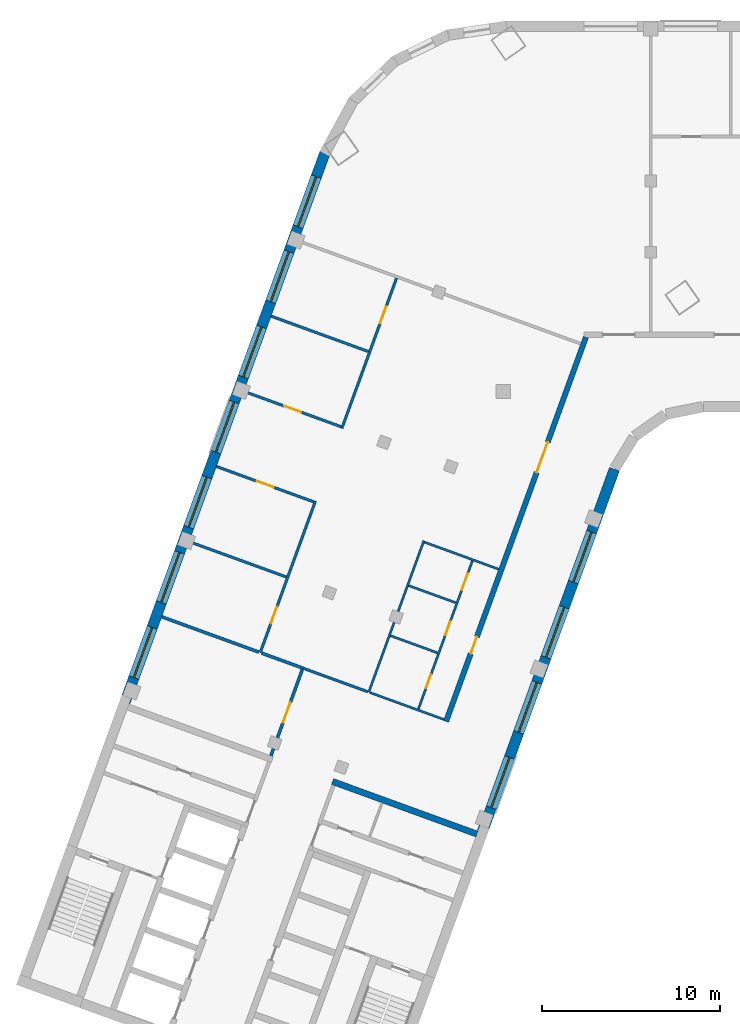
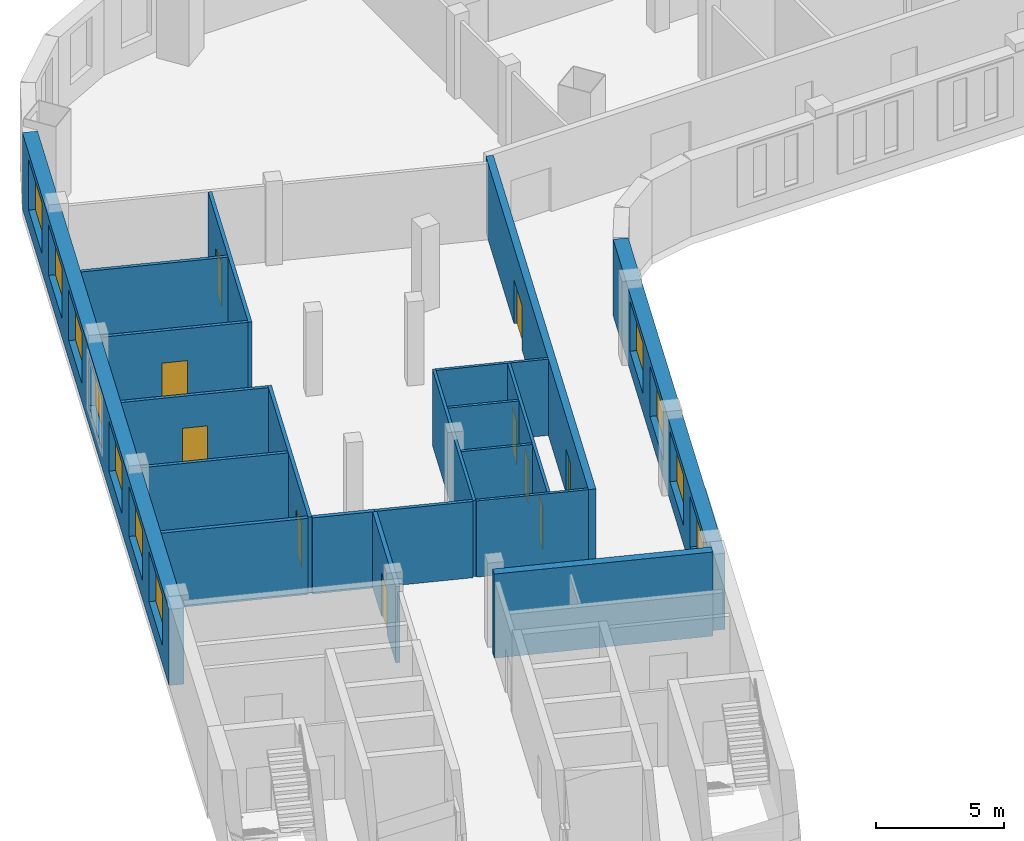
# One storey, part 3 of 8: 20 walls, 11 windows, 10 doors, 21 openings.
"""IFC4 building model written with IfcOpenShell, lengths in metres."""

from ifc_helpers import new_model, si_unit, direction, frame, frame_2d, origin, place, context, subcontext, project, spatial, rectangle, extrude, material, layer, layer_set, type_object, element, fill, save


model = new_model("IFC4")

# Units and contexts
model_context = context("Model", 3, precision=1e-05, world=origin(), true_north=direction((0.0, 1.0)))
body_context = subcontext(model_context, "Body", "Model", "MODEL_VIEW")
ifc_project = project(units=[si_unit("LENGTHUNIT", "METRE"), si_unit("AREAUNIT", "SQUARE_METRE"), si_unit("VOLUMEUNIT", "CUBIC_METRE"), si_unit("PLANEANGLEUNIT", "RADIAN"), si_unit("MASSUNIT", "GRAM", prefix="KILO")], contexts=[model_context])

# Site, building, storey
site_placement = place(None, origin())
site = spatial("IfcSite", under=ifc_project, at=site_placement, CompositionType="ELEMENT")
building_placement = place(site_placement, origin())
building = spatial("IfcBuilding", under=site, at=building_placement, Name="Skarvind Civic Tower", CompositionType="ELEMENT")
storey_placement = place(building_placement, frame((0.0, 0.0, 138.5)))
storey = spatial("IfcBuildingStorey", under=building, at=storey_placement, Name="L32", CompositionType="ELEMENT", Elevation=138.5)

# Walls
ifc_material_1 = material(Name="Acoustic gypsum board on steel studs", Category="steel")
ifc_layer_1 = layer(ifc_material_1, 0.175048828125)
ifc_layer_set_1 = layer_set([ifc_layer_1], Name="ACOUSTIC MEETING-ROOM PARTITION 175")
wall_type_1 = type_object("IfcWallType", Name="ACOUSTIC MEETING-ROOM PARTITION 175", PredefinedType="PARTITIONING", material=ifc_layer_set_1)
wall_1_placement = place(storey_placement, frame((26.736083984375, 105.47998046875, 0.0), z_axis=(0.0, 0.0, 1.0), x_axis=(0.939674453825, -0.342070052516, 0.0)))
element("IfcWall", 1, at=wall_1_placement, inside=storey, type_object=wall_type_1, Name="Partition 32.001", PredefinedType="PARTITIONING", context=body_context, shape_type="SweptSolid", body=[
    extrude(rectangle(XDim=5.814697265625, YDim=0.175048828125, at=frame_2d((2.9072265625, 0.0))), origin(), (0.0, 0.0, 1.0), 3.625),
])
wall_2_placement = place(storey_placement, frame((32.35888671875, 103.43310546875, 0.0), z_axis=(0.0, 0.0, 1.0), x_axis=(0.939784753685, -0.341766904105, 0.0)))
element("IfcWall", 2, at=wall_2_placement, inside=storey, type_object=wall_type_1, Name="Partition 32.004", PredefinedType="PARTITIONING", context=body_context, shape_type="SweptSolid", body=[
    extrude(rectangle(XDim=2.466552734375, YDim=0.175048828125, at=frame_2d((1.2333984375, 0.0))), origin(), (0.0, 0.0, 1.0), 3.625),
])

# Wall, opening, door
wall_3_placement = place(storey_placement, frame((32.881103515625, 97.656982421875, 0.0), z_axis=(0.0, 0.0, 1.0), x_axis=(0.342058204353, 0.939678766832, 0.0)))
wall_3 = element("IfcWall", 3, at=wall_3_placement, inside=storey, type_object=wall_type_1, Name="Partition 32.007", PredefinedType="PARTITIONING", context=body_context, shape_type="SweptSolid", body=[
    extrude(rectangle(XDim=5.16259765625, YDim=0.175048828125, at=frame_2d((2.581298828125, 0.0))), origin(), (0.0, 0.0, 1.0), 3.625),
])
opening_1_placement = place(wall_3_placement, frame((1.9912109375, 0.0, 0.0)))
opening_1 = element("IfcOpeningElement", 4, at=opening_1_placement, cuts=wall_3, Name="Opening L32-D011", PredefinedType="OPENING", context=body_context, shape_type="SweptSolid", body=[
    extrude(rectangle(XDim=1.199951171875, YDim=2.10009765625, at=frame_2d((0.60009765625, 1.050048828125))), frame((0.0, 0.097412109375, 0.0), z_axis=(0.0, -1.0, 0.0), x_axis=(1.0, 0.0, 0.0)), (0.0, 0.0, 1.0), 0.195068359375),
])
ifc_material_2 = material(Name="Timber door leaf", Category="wood")
door_type_1 = type_object("IfcDoorType", Name="DOOR 1200X2100 DOUBLE TIMBER", OperationType="NOTDEFINED", PredefinedType="DOOR", material=ifc_material_2)
door_1_placement = place(opening_1_placement, origin())
door_1 = element("IfcDoor", 5, at=door_1_placement, inside=storey, type_object=door_type_1, Name="Door L32-D011", OperationType="DOUBLE_DOOR_SINGLE_SWING", OverallHeight=2.10009765625, OverallWidth=1.199951171875, PredefinedType="DOOR", context=body_context, shape_type="SweptSolid", body=[
    extrude(rectangle(XDim=1.199951171875, YDim=2.10009765625, at=frame_2d((0.60009765625, 1.050048828125))), frame((0.0, 0.02490234375, 0.0), z_axis=(0.0, -1.0, 0.0), x_axis=(1.0, 0.0, 0.0)), (0.0, 0.0, 1.0), 0.050048828125),
])
fill(opening_1, door_1)

# Wall, openings, doors
ifc_material_3 = material(Name="Fire-rated gypsum board on steel studs", Category="steel")
ifc_layer_2 = layer(ifc_material_3, 0.300048828125)
ifc_layer_set_2 = layer_set([ifc_layer_2], Name="CORRIDOR WALL 300")
wall_type_2 = type_object("IfcWallType", Name="CORRIDOR WALL 300", PredefinedType="PARTITIONING", material=ifc_layer_set_2)
wall_4_placement = place(storey_placement, frame((42.737060546875, 99.590087890625, 0.0), z_axis=(0.0, 0.0, 1.0), x_axis=(0.341992703977, 0.939702607438, 0.0)))
wall_4 = element("IfcWall", 6, at=wall_4_placement, inside=storey, type_object=wall_type_2, Name="Partition 32.019", PredefinedType="PARTITIONING", context=body_context, shape_type="SweptSolid", body=[
    extrude(rectangle(XDim=23.006103515625, YDim=0.300048828125, at=frame_2d((11.5029296875, 0.0))), origin(), (0.0, 0.0, 1.0), 3.625),
])
opening_2_placement = place(wall_4_placement, frame((4.0625, 0.0, 0.0)))
opening_2 = element("IfcOpeningElement", 7, at=opening_2_placement, cuts=wall_4, Name="Opening L32-D012", PredefinedType="OPENING", context=body_context, shape_type="SweptSolid", body=[
    extrude(rectangle(XDim=1.0, YDim=2.10009765625, at=frame_2d((0.5, 1.050048828125))), frame((0.0, 0.159912109375, 0.0), z_axis=(0.0, -1.0, 0.0), x_axis=(1.0, 0.0, 0.0)), (0.0, 0.0, 1.0), 0.320068359375),
])
opening_3_placement = place(wall_4_placement, frame((14.912353515625, 0.0, 0.0)))
opening_3 = element("IfcOpeningElement", 8, at=opening_3_placement, cuts=wall_4, Name="Opening L32-D020", PredefinedType="OPENING", context=body_context, shape_type="SweptSolid", body=[
    extrude(rectangle(XDim=1.800048828125, YDim=2.10009765625, at=frame_2d((0.89990234375, 1.050048828125))), frame((0.0, 0.159912109375, 0.0), z_axis=(0.0, -1.0, 0.0), x_axis=(1.0, 0.0, 0.0)), (0.0, 0.0, 1.0), 0.320068359375),
])
ifc_material_4 = material(Name="Fire-rated timber door leaf", Category="wood")
door_type_2 = type_object("IfcDoorType", Name="FD1 1000x2100", OperationType="NOTDEFINED", PredefinedType="DOOR", material=ifc_material_4)
door_2_placement = place(opening_2_placement, origin())
door_2 = element("IfcDoor", 9, at=door_2_placement, inside=storey, type_object=door_type_2, Name="Door L32-D012", OperationType="SINGLE_SWING_LEFT", OverallHeight=2.10009765625, OverallWidth=1.0, PredefinedType="DOOR", context=body_context, shape_type="SweptSolid", body=[
    extrude(rectangle(XDim=1.0, YDim=2.10009765625, at=frame_2d((0.5, 1.050048828125))), frame((0.0, 0.02490234375, 0.0), z_axis=(0.0, -1.0, 0.0), x_axis=(1.0, 0.0, 0.0)), (0.0, 0.0, 1.0), 0.050048828125),
])
fill(opening_2, door_2)
door_type_3 = type_object("IfcDoorType", Name="FD4 1800x2100", OperationType="NOTDEFINED", PredefinedType="DOOR", material=ifc_material_4)
door_3_placement = place(opening_3_placement, origin())
door_3 = element("IfcDoor", 10, at=door_3_placement, inside=storey, type_object=door_type_3, Name="Door L32-D020", OperationType="DOUBLE_DOOR_SINGLE_SWING", OverallHeight=2.10009765625, OverallWidth=1.800048828125, PredefinedType="DOOR", context=body_context, shape_type="SweptSolid", body=[
    extrude(rectangle(XDim=1.800048828125, YDim=2.10009765625, at=frame_2d((0.89990234375, 1.050048828125))), frame((0.0, 0.02490234375, 0.0), z_axis=(0.0, -1.0, 0.0), x_axis=(1.0, 0.0, 0.0)), (0.0, 0.0, 1.0), 0.050048828125),
])
fill(opening_3, door_3)

# Walls
ifc_material_5 = material(Name="Concrete C60", Category="concrete")
ifc_layer_3 = layer(ifc_material_5, 0.35009765625)
ifc_layer_set_3 = layer_set([ifc_layer_3], Name="Core wall 350 C60")
wall_type_3 = type_object("IfcWallType", Name="Core wall 350 C60", PredefinedType="SHEAR", material=ifc_layer_set_3)
wall_5_placement = place(storey_placement, frame((44.473388671875, 93.25146484375, 0.0), z_axis=(0.0, 0.0, 1.0), x_axis=(-0.939692847377, 0.34201952077, 0.0)))
element("IfcWall", 11, at=wall_5_placement, inside=storey, type_object=wall_type_3, Name="Core wall C2 south inner face L32", PredefinedType="SHEAR", context=body_context, shape_type="SweptSolid", body=[
    extrude(rectangle(XDim=8.650146484375, YDim=0.35009765625, at=frame_2d((4.3251953125, 0.0))), origin(), (0.0, 0.0, 1.0), 4.0),
])
ifc_material_6 = material(Name="Plasterboard partition on steel studs", Category="steel")
ifc_layer_4 = layer(ifc_material_6, 0.14990234375)
ifc_layer_set_4 = layer_set([ifc_layer_4], Name="PARTITION 150")
wall_type_4 = type_object("IfcWallType", Name="PARTITION 150", PredefinedType="PARTITIONING", material=ifc_layer_set_4)
wall_6_placement = place(storey_placement, frame((28.27490234375, 109.708984375, 0.0), z_axis=(0.0, 0.0, 1.0), x_axis=(0.939718757431, -0.341948324943, 0.0)))
element("IfcWall", 12, at=wall_6_placement, inside=storey, type_object=wall_type_4, Name="Partition 32.002", PredefinedType="PARTITIONING", context=body_context, shape_type="SweptSolid", body=[
    extrude(rectangle(XDim=5.8251953125, YDim=0.14990234375, at=frame_2d((2.91259765625, 0.0))), origin(), (0.0, 0.0, 1.0), 3.625),
])

# Wall, opening, door
wall_7_placement = place(storey_placement, frame((29.81396484375, 113.93798828125, 0.0), z_axis=(0.0, 0.0, 1.0), x_axis=(0.939738354986, -0.341894463495, 0.0)))
wall_7 = element("IfcWall", 13, at=wall_7_placement, inside=storey, type_object=wall_type_4, Name="Partition 32.003", PredefinedType="PARTITIONING", context=body_context, shape_type="SweptSolid", body=[
    extrude(rectangle(XDim=5.826171875, YDim=0.14990234375, at=frame_2d((2.9130859375, 0.0))), origin(), (0.0, 0.0, 1.0), 3.625),
])
opening_4_placement = place(wall_7_placement, frame((2.42333984375, 0.0, 0.0)))
opening_4 = element("IfcOpeningElement", 14, at=opening_4_placement, cuts=wall_7, Name="Opening L32-D017", PredefinedType="OPENING", context=body_context, shape_type="SweptSolid", body=[
    extrude(rectangle(XDim=1.0, YDim=2.10009765625, at=frame_2d((0.5, 1.050048828125))), frame((0.0, 0.0849609375, 0.0), z_axis=(0.0, -1.0, 0.0), x_axis=(1.0, 0.0, 0.0)), (0.0, 0.0, 1.0), 0.169921875),
])
door_type_4 = type_object("IfcDoorType", Name="D1 1000x2100", OperationType="NOTDEFINED", PredefinedType="DOOR", material=ifc_material_2)
door_4_placement = place(opening_4_placement, origin())
door_4 = element("IfcDoor", 15, at=door_4_placement, inside=storey, type_object=door_type_4, Name="Door L32-D017", OperationType="SINGLE_SWING_LEFT", OverallHeight=2.10009765625, OverallWidth=1.0, PredefinedType="DOOR", context=body_context, shape_type="SweptSolid", body=[
    extrude(rectangle(XDim=1.0, YDim=2.10009765625, at=frame_2d((0.5, 1.050048828125))), frame((0.0, 0.02490234375, 0.0), z_axis=(0.0, -1.0, 0.0), x_axis=(1.0, 0.0, 0.0)), (0.0, 0.0, 1.0), 0.050048828125),
])
fill(opening_4, door_4)

# Walls
wall_8_placement = place(storey_placement, frame((32.89208984375, 122.39501953125, 0.0), z_axis=(0.0, 0.0, 1.0), x_axis=(0.939733456466, -0.341907927371, 0.0)))
element("IfcWall", 16, at=wall_8_placement, inside=storey, type_object=wall_type_4, Name="Partition 32.005", PredefinedType="PARTITIONING", context=body_context, shape_type="SweptSolid", body=[
    extrude(rectangle(XDim=5.825927734375, YDim=0.14990234375, at=frame_2d((2.9130859375, 0.0))), origin(), (0.0, 0.0, 1.0), 3.625),
])
wall_9_placement = place(storey_placement, frame((34.677001953125, 102.590087890625, 0.0), z_axis=(0.0, 0.0, 1.0), x_axis=(0.939712759945, -0.341964806371, 0.0)))
element("IfcWall", 17, at=wall_9_placement, inside=storey, type_object=wall_type_4, Name="Partition 32.008", PredefinedType="PARTITIONING", context=body_context, shape_type="SweptSolid", body=[
    extrude(rectangle(XDim=3.889404296875, YDim=0.14990234375, at=frame_2d((1.94482421875, 0.0))), origin(), (0.0, 0.0, 1.0), 3.625),
])

# Wall, opening, door
wall_10_placement = place(storey_placement, frame((35.385009765625, 111.989990234375, 0.0), z_axis=(0.0, 0.0, 1.0), x_axis=(-0.342153449842, -0.939644090473, 0.0)))
wall_10 = element("IfcWall", 18, at=wall_10_placement, inside=storey, type_object=wall_type_4, Name="Partition 32.009", PredefinedType="PARTITIONING", context=body_context, shape_type="SweptSolid", body=[
    extrude(rectangle(XDim=9.07470703125, YDim=0.14990234375, at=frame_2d((4.537353515625, 0.0))), origin(), (0.0, 0.0, 1.0), 3.625),
])
opening_5_placement = place(wall_10_placement, frame((6.3251953125, 0.0, 0.0)))
opening_5 = element("IfcOpeningElement", 19, at=opening_5_placement, cuts=wall_10, Name="Opening L32-D016", PredefinedType="OPENING", context=body_context, shape_type="SweptSolid", body=[
    extrude(rectangle(XDim=1.0, YDim=2.10009765625, at=frame_2d((0.5, 1.050048828125))), frame((0.0, 0.0849609375, 0.0), z_axis=(0.0, -1.0, 0.0), x_axis=(1.0, 0.0, 0.0)), (0.0, 0.0, 1.0), 0.169921875),
])
door_5_placement = place(opening_5_placement, origin())
door_5 = element("IfcDoor", 20, at=door_5_placement, inside=storey, type_object=door_type_4, Name="Door L32-D016", OperationType="SINGLE_SWING_LEFT", OverallHeight=2.10009765625, OverallWidth=1.0, PredefinedType="DOOR", context=body_context, shape_type="SweptSolid", body=[
    extrude(rectangle(XDim=1.0, YDim=2.10009765625, at=frame_2d((0.5, 1.050048828125))), frame((0.0, 0.02490234375, 0.0), z_axis=(0.0, -1.0, 0.0), x_axis=(1.0, 0.0, 0.0)), (0.0, 0.0, 1.0), 0.050048828125),
])
fill(opening_5, door_5)

wall_11_placement = place(storey_placement, frame((36.827880859375, 116.174072265625, 0.0), z_axis=(0.0, 0.0, 1.0), x_axis=(-0.939733456466, 0.341907927371, 0.0)))
wall_11 = element("IfcWall", 21, at=wall_11_placement, inside=storey, type_object=wall_type_4, Name="Partition 32.010", PredefinedType="PARTITIONING", context=body_context, shape_type="SweptSolid", body=[
    extrude(rectangle(XDim=5.825927734375, YDim=0.14990234375, at=frame_2d((2.9130859375, 0.0))), origin(), (0.0, 0.0, 1.0), 3.625),
])
opening_6_placement = place(wall_11_placement, frame((2.40283203125, 0.0, 0.0)))
opening_6 = element("IfcOpeningElement", 22, at=opening_6_placement, cuts=wall_11, Name="Opening L32-D018", PredefinedType="OPENING", context=body_context, shape_type="SweptSolid", body=[
    extrude(rectangle(XDim=1.0, YDim=2.10009765625, at=frame_2d((0.5, 1.050048828125))), frame((0.0, 0.0849609375, 0.0), z_axis=(0.0, -1.0, 0.0), x_axis=(1.0, 0.0, 0.0)), (0.0, 0.0, 1.0), 0.169921875),
])
door_6_placement = place(opening_6_placement, origin())
door_6 = element("IfcDoor", 23, at=door_6_placement, inside=storey, type_object=door_type_4, Name="Door L32-D018", OperationType="SINGLE_SWING_RIGHT", OverallHeight=2.10009765625, OverallWidth=1.0, PredefinedType="DOOR", context=body_context, shape_type="SweptSolid", body=[
    extrude(rectangle(XDim=1.0, YDim=2.10009765625, at=frame_2d((0.5, 1.050048828125))), frame((0.0, 0.02490234375, 0.0), z_axis=(0.0, -1.0, 0.0), x_axis=(1.0, 0.0, 0.0)), (0.0, 0.0, 1.0), 0.050048828125),
])
fill(opening_6, door_6)

wall_12_placement = place(storey_placement, frame((39.949951171875, 124.535888671875, 0.0), z_axis=(0.0, 0.0, 1.0), x_axis=(-0.341963022424, -0.939713409128, 0.0)))
wall_12 = element("IfcWall", 24, at=wall_12_placement, inside=storey, type_object=wall_type_4, Name="Partition 32.011", PredefinedType="PARTITIONING", context=body_context, shape_type="SweptSolid", body=[
    extrude(rectangle(XDim=9.000732421875, YDim=0.14990234375, at=frame_2d((4.50048828125, 0.0))), origin(), (0.0, 0.0, 1.0), 3.625),
])
opening_7_placement = place(wall_12_placement, frame((1.70263671875, 0.0, 0.0)))
opening_7 = element("IfcOpeningElement", 25, at=opening_7_placement, cuts=wall_12, Name="Opening L32-D019", PredefinedType="OPENING", context=body_context, shape_type="SweptSolid", body=[
    extrude(rectangle(XDim=1.0, YDim=2.10009765625, at=frame_2d((0.5, 1.050048828125))), frame((0.0, 0.0849609375, 0.0), z_axis=(0.0, -1.0, 0.0), x_axis=(1.0, 0.0, 0.0)), (0.0, 0.0, 1.0), 0.169921875),
])
door_7_placement = place(opening_7_placement, origin())
door_7 = element("IfcDoor", 26, at=door_7_placement, inside=storey, type_object=door_type_4, Name="Door L32-D019", OperationType="SINGLE_SWING_LEFT", OverallHeight=2.10009765625, OverallWidth=1.0, PredefinedType="DOOR", context=body_context, shape_type="SweptSolid", body=[
    extrude(rectangle(XDim=1.0, YDim=2.10009765625, at=frame_2d((0.5, 1.050048828125))), frame((0.0, 0.02490234375, 0.0), z_axis=(0.0, -1.0, 0.0), x_axis=(1.0, 0.0, 0.0)), (0.0, 0.0, 1.0), 0.050048828125),
])
fill(opening_7, door_7)

# Walls
ifc_material_7 = material(Name="Moisture-resistant gypsum board on steel studs", Category="steel")
ifc_layer_5 = layer(ifc_material_7, 0.125)
ifc_layer_set_5 = layer_set([ifc_layer_5], Name="WC PARTITION 125")
wall_type_5 = type_object("IfcWallType", Name="WC PARTITION 125", PredefinedType="PARTITIONING", material=ifc_layer_set_5)
wall_13_placement = place(storey_placement, frame((38.455078125, 101.214111328125, 0.0), z_axis=(0.0, 0.0, 1.0), x_axis=(0.939738687483, -0.341893549585, 0.0)))
element("IfcWall", 27, at=wall_13_placement, inside=storey, type_object=wall_type_5, Name="Partition 32.012", PredefinedType="PARTITIONING", context=body_context, shape_type="SweptSolid", body=[
    extrude(rectangle(XDim=4.4287109375, YDim=0.125, at=frame_2d((2.21435546875, 0.0))), origin(), (0.0, 0.0, 1.0), 3.625),
])
wall_14_placement = place(storey_placement, frame((38.387939453125, 101.239990234375, 0.0), z_axis=(0.0, 0.0, 1.0), x_axis=(0.342067486799, 0.93967538782, 0.0)))
element("IfcWall", 28, at=wall_14_placement, inside=storey, type_object=wall_type_5, Name="Partition 32.013", PredefinedType="PARTITIONING", context=body_context, shape_type="SweptSolid", body=[
    extrude(rectangle(XDim=9.062744140625, YDim=0.125, at=frame_2d((4.53125, 0.0))), origin(), (0.0, 0.0, 1.0), 3.625),
])

# Wall, openings, doors
wall_15_placement = place(storey_placement, frame((41.180908203125, 100.2900390625, 0.0), z_axis=(0.0, 0.0, 1.0), x_axis=(0.34222012082, 0.939619810831, 0.0)))
wall_15 = element("IfcWall", 29, at=wall_15_placement, inside=storey, type_object=wall_type_5, Name="Partition 32.015", PredefinedType="PARTITIONING", context=body_context, shape_type="SweptSolid", body=[
    extrude(rectangle(XDim=8.874755859375, YDim=0.125, at=frame_2d((4.4375, 0.0))), origin(), (0.0, 0.0, 1.0), 3.625),
])
opening_8_placement = place(wall_15_placement, frame((1.25830078125, 0.0, 0.0)))
opening_8 = element("IfcOpeningElement", 30, at=opening_8_placement, cuts=wall_15, Name="Opening L32-D013", PredefinedType="OPENING", context=body_context, shape_type="SweptSolid", body=[
    extrude(rectangle(XDim=0.800048828125, YDim=2.10009765625, at=frame_2d((0.39990234375, 1.050048828125))), frame((0.0, 0.072509765625, 0.0), z_axis=(0.0, -1.0, 0.0), x_axis=(1.0, 0.0, 0.0)), (0.0, 0.0, 1.0), 0.14501953125),
])
opening_9_placement = place(wall_15_placement, frame((4.43701171875, 0.0, 0.0)))
opening_9 = element("IfcOpeningElement", 31, at=opening_9_placement, cuts=wall_15, Name="Opening L32-D014", PredefinedType="OPENING", context=body_context, shape_type="SweptSolid", body=[
    extrude(rectangle(XDim=0.800048828125, YDim=2.10009765625, at=frame_2d((0.39990234375, 1.050048828125))), frame((0.0, 0.072509765625, 0.0), z_axis=(0.0, -1.0, 0.0), x_axis=(1.0, 0.0, 0.0)), (0.0, 0.0, 1.0), 0.14501953125),
])
opening_10_placement = place(wall_15_placement, frame((7.1162109375, 0.0, 0.0)))
opening_10 = element("IfcOpeningElement", 32, at=opening_10_placement, cuts=wall_15, Name="Opening L32-D015", PredefinedType="OPENING", context=body_context, shape_type="SweptSolid", body=[
    extrude(rectangle(XDim=1.0, YDim=2.10009765625, at=frame_2d((0.5, 1.050048828125))), frame((0.0, 0.072509765625, 0.0), z_axis=(0.0, -1.0, 0.0), x_axis=(1.0, 0.0, 0.0)), (0.0, 0.0, 1.0), 0.14501953125),
])
door_8_placement = place(opening_10_placement, origin())
door_8 = element("IfcDoor", 33, at=door_8_placement, inside=storey, type_object=door_type_4, Name="Door L32-D015", OperationType="SINGLE_SWING_LEFT", OverallHeight=2.10009765625, OverallWidth=1.0, PredefinedType="DOOR", context=body_context, shape_type="SweptSolid", body=[
    extrude(rectangle(XDim=1.0, YDim=2.10009765625, at=frame_2d((0.5, 1.050048828125))), frame((0.0, 0.02490234375, 0.0), z_axis=(0.0, -1.0, 0.0), x_axis=(1.0, 0.0, 0.0)), (0.0, 0.0, 1.0), 0.050048828125),
])
fill(opening_10, door_8)
door_type_5 = type_object("IfcDoorType", Name="DOOR 800X2100 TIMBER", OperationType="NOTDEFINED", PredefinedType="DOOR", material=ifc_material_2)
door_9_placement = place(opening_8_placement, origin())
door_9 = element("IfcDoor", 34, at=door_9_placement, inside=storey, type_object=door_type_5, Name="Door L32-D013", OperationType="SINGLE_SWING_LEFT", OverallHeight=2.10009765625, OverallWidth=0.800048828125, PredefinedType="DOOR", context=body_context, shape_type="SweptSolid", body=[
    extrude(rectangle(XDim=0.800048828125, YDim=2.10009765625, at=frame_2d((0.39990234375, 1.050048828125))), frame((0.0, 0.02490234375, 0.0), z_axis=(0.0, -1.0, 0.0), x_axis=(1.0, 0.0, 0.0)), (0.0, 0.0, 1.0), 0.050048828125),
])
fill(opening_8, door_9)
door_10_placement = place(opening_9_placement, origin())
door_10 = element("IfcDoor", 35, at=door_10_placement, inside=storey, type_object=door_type_5, Name="Door L32-D014", OperationType="SINGLE_SWING_LEFT", OverallHeight=2.10009765625, OverallWidth=0.800048828125, PredefinedType="DOOR", context=body_context, shape_type="SweptSolid", body=[
    extrude(rectangle(XDim=0.800048828125, YDim=2.10009765625, at=frame_2d((0.39990234375, 1.050048828125))), frame((0.0, 0.02490234375, 0.0), z_axis=(0.0, -1.0, 0.0), x_axis=(1.0, 0.0, 0.0)), (0.0, 0.0, 1.0), 0.050048828125),
])
fill(opening_9, door_10)

# Walls
wall_16_placement = place(storey_placement, frame((41.52587890625, 109.676025390625, 0.0), z_axis=(0.0, 0.0, 1.0), x_axis=(0.939577975992, -0.342334963203, 0.0)))
element("IfcWall", 36, at=wall_16_placement, inside=storey, type_object=wall_type_5, Name="Partition 32.016", PredefinedType="PARTITIONING", context=body_context, shape_type="SweptSolid", body=[
    extrude(rectangle(XDim=4.437255859375, YDim=0.125, at=frame_2d((2.21875, 0.0))), origin(), (0.0, 0.0, 1.0), 3.625),
])
wall_17_placement = place(storey_placement, frame((42.263916015625, 103.446044921875, 0.0), z_axis=(0.0, 0.0, 1.0), x_axis=(-0.939563555473, 0.342374539396, 0.0)))
element("IfcWall", 37, at=wall_17_placement, inside=storey, type_object=wall_type_5, Name="Partition 32.017", PredefinedType="PARTITIONING", context=body_context, shape_type="SweptSolid", body=[
    extrude(rectangle(XDim=2.824462890625, YDim=0.125, at=frame_2d((1.412109375, 0.0))), origin(), (0.0, 0.0, 1.0), 3.625),
])
wall_18_placement = place(storey_placement, frame((43.2900390625, 106.26611328125, 0.0), z_axis=(0.0, 0.0, 1.0), x_axis=(-0.939601484935, 0.342270433294, 0.0)))
element("IfcWall", 38, at=wall_18_placement, inside=storey, type_object=wall_type_5, Name="Partition 32.020", PredefinedType="PARTITIONING", context=body_context, shape_type="SweptSolid", body=[
    extrude(rectangle(XDim=2.82470703125, YDim=0.125, at=frame_2d((1.412353515625, 0.0))), origin(), (0.0, 0.0, 1.0), 3.625),
])

# Wall, openings, windows
ifc_material_8 = material(Name="Limestone masonry cladding on insulated backing", Category="masonry")
ifc_layer_6 = layer(ifc_material_8, 0.60009765625)
ifc_layer_set_6 = layer_set([ifc_layer_6], Name="WX1 STONE FACADE WALL 600")
wall_type_6 = type_object("IfcWallType", Name="WX1 STONE FACADE WALL 600", PredefinedType="SOLIDWALL", material=ifc_layer_set_6)
wall_19_placement = place(storey_placement, frame((52.212158203125, 113.78271484375, 0.0), z_axis=(0.0, 0.0, 1.0), x_axis=(-0.34202521188, -0.939690775968, 0.0)))
wall_19 = element("IfcWall", 39, at=wall_19_placement, inside=storey, type_object=wall_type_6, Name="STONE FACADE WALL", PredefinedType="SOLIDWALL", context=body_context, shape_type="SweptSolid", body=[
    extrude(rectangle(XDim=21.744873046875, YDim=0.60009765625, at=frame_2d((10.87255859375, 0.0))), origin(), (0.0, 0.0, 1.0), 3.625),
])
opening_11_placement = place(wall_19_placement, frame((3.764892578125, 0.0, 0.89990234375)))
opening_11 = element("IfcOpeningElement", 40, at=opening_11_placement, cuts=wall_19, Name="Opening WN1", PredefinedType="OPENING", context=body_context, shape_type="SweptSolid", body=[
    extrude(rectangle(XDim=3.0, YDim=2.39990234375, at=frame_2d((1.5, 1.199951171875))), frame((0.0, 0.31005859375, 0.0), z_axis=(0.0, -1.0, 0.0), x_axis=(1.0, 0.0, 0.0)), (0.0, 0.0, 1.0), 0.6201171875),
])
opening_12_placement = place(wall_19_placement, frame((8.264892578125, 0.0, 0.89990234375)))
opening_12 = element("IfcOpeningElement", 41, at=opening_12_placement, cuts=wall_19, Name="Opening WN1", PredefinedType="OPENING", context=body_context, shape_type="SweptSolid", body=[
    extrude(rectangle(XDim=3.0, YDim=2.39990234375, at=frame_2d((1.5, 1.199951171875))), frame((0.0, 0.31005859375, 0.0), z_axis=(0.0, -1.0, 0.0), x_axis=(1.0, 0.0, 0.0)), (0.0, 0.0, 1.0), 0.6201171875),
])
opening_13_placement = place(wall_19_placement, frame((12.764892578125, 0.0, 0.89990234375)))
opening_13 = element("IfcOpeningElement", 42, at=opening_13_placement, cuts=wall_19, Name="Opening WN1", PredefinedType="OPENING", context=body_context, shape_type="SweptSolid", body=[
    extrude(rectangle(XDim=3.0, YDim=2.39990234375, at=frame_2d((1.5, 1.199951171875))), frame((0.0, 0.31005859375, 0.0), z_axis=(0.0, -1.0, 0.0), x_axis=(1.0, 0.0, 0.0)), (0.0, 0.0, 1.0), 0.6201171875),
])
opening_14_placement = place(wall_19_placement, frame((17.264892578125, 0.0, 0.89990234375)))
opening_14 = element("IfcOpeningElement", 43, at=opening_14_placement, cuts=wall_19, Name="Opening WN1", PredefinedType="OPENING", context=body_context, shape_type="SweptSolid", body=[
    extrude(rectangle(XDim=3.0, YDim=2.39990234375, at=frame_2d((1.5, 1.199951171875))), frame((0.0, 0.31005859375, 0.0), z_axis=(0.0, -1.0, 0.0), x_axis=(1.0, 0.0, 0.0)), (0.0, 0.0, 1.0), 0.6201171875),
])
ifc_material_9 = material(Name="Timber frame, double glazing, timber-lined reveal", Category="wood")
window_type = type_object("IfcWindowType", Name="WN1 PUNCHED STONE WINDOW 3000 x 2400", PartitioningType="SINGLE_PANEL", PredefinedType="WINDOW", material=ifc_material_9)
window_1_placement = place(opening_11_placement, origin())
window_1 = element("IfcWindow", 44, at=window_1_placement, inside=storey, type_object=window_type, Name="WN1 WINDOW", OverallHeight=2.39990234375, OverallWidth=3.0, PartitioningType="SINGLE_PANEL", PredefinedType="WINDOW", context=body_context, shape_type="SweptSolid", body=[
    extrude(rectangle(XDim=3.0, YDim=2.39990234375, at=frame_2d((1.5, 1.199951171875))), frame((0.0, 0.030029296875, 0.0), z_axis=(0.0, -1.0, 0.0), x_axis=(1.0, 0.0, 0.0)), (0.0, 0.0, 1.0), 0.06005859375),
])
fill(opening_11, window_1)
window_2_placement = place(opening_12_placement, origin())
window_2 = element("IfcWindow", 45, at=window_2_placement, inside=storey, type_object=window_type, Name="WN1 WINDOW", OverallHeight=2.39990234375, OverallWidth=3.0, PartitioningType="SINGLE_PANEL", PredefinedType="WINDOW", context=body_context, shape_type="SweptSolid", body=[
    extrude(rectangle(XDim=3.0, YDim=2.39990234375, at=frame_2d((1.5, 1.199951171875))), frame((0.0, 0.030029296875, 0.0), z_axis=(0.0, -1.0, 0.0), x_axis=(1.0, 0.0, 0.0)), (0.0, 0.0, 1.0), 0.06005859375),
])
fill(opening_12, window_2)
window_3_placement = place(opening_13_placement, origin())
window_3 = element("IfcWindow", 46, at=window_3_placement, inside=storey, type_object=window_type, Name="WN1 WINDOW", OverallHeight=2.39990234375, OverallWidth=3.0, PartitioningType="SINGLE_PANEL", PredefinedType="WINDOW", context=body_context, shape_type="SweptSolid", body=[
    extrude(rectangle(XDim=3.0, YDim=2.39990234375, at=frame_2d((1.5, 1.199951171875))), frame((0.0, 0.030029296875, 0.0), z_axis=(0.0, -1.0, 0.0), x_axis=(1.0, 0.0, 0.0)), (0.0, 0.0, 1.0), 0.06005859375),
])
fill(opening_13, window_3)
window_4_placement = place(opening_14_placement, origin())
window_4 = element("IfcWindow", 47, at=window_4_placement, inside=storey, type_object=window_type, Name="WN1 WINDOW", OverallHeight=2.39990234375, OverallWidth=3.0, PartitioningType="SINGLE_PANEL", PredefinedType="WINDOW", context=body_context, shape_type="SweptSolid", body=[
    extrude(rectangle(XDim=3.0, YDim=2.39990234375, at=frame_2d((1.5, 1.199951171875))), frame((0.0, 0.030029296875, 0.0), z_axis=(0.0, -1.0, 0.0), x_axis=(1.0, 0.0, 0.0)), (0.0, 0.0, 1.0), 0.06005859375),
])
fill(opening_14, window_4)

wall_20_placement = place(storey_placement, frame((24.66552734375, 100.668701171875, 0.0), z_axis=(0.0, 0.0, 1.0), x_axis=(0.34201964167, 0.939692803373, 0.0)))
wall_20 = element("IfcWall", 48, at=wall_20_placement, inside=storey, type_object=wall_type_6, Name="STONE FACADE WALL", PredefinedType="SOLIDWALL", context=body_context, shape_type="SweptSolid", body=[
    extrude(rectangle(XDim=32.88427734375, YDim=0.60009765625, at=frame_2d((16.442138671875, 0.0))), origin(), (0.0, 0.0, 1.0), 3.625),
])
opening_15_placement = place(wall_20_placement, frame((1.47998046875, 0.0, 0.89990234375)))
opening_15 = element("IfcOpeningElement", 49, at=opening_15_placement, cuts=wall_20, Name="Opening WN1", PredefinedType="OPENING", context=body_context, shape_type="SweptSolid", body=[
    extrude(rectangle(XDim=3.0, YDim=2.39990234375, at=frame_2d((1.5, 1.199951171875))), frame((0.0, 0.31005859375, 0.0), z_axis=(0.0, -1.0, 0.0), x_axis=(1.0, 0.0, 0.0)), (0.0, 0.0, 1.0), 0.6201171875),
])
opening_16_placement = place(wall_20_placement, frame((5.97998046875, 0.0, 0.89990234375)))
opening_16 = element("IfcOpeningElement", 50, at=opening_16_placement, cuts=wall_20, Name="Opening WN1", PredefinedType="OPENING", context=body_context, shape_type="SweptSolid", body=[
    extrude(rectangle(XDim=3.0, YDim=2.39990234375, at=frame_2d((1.5, 1.199951171875))), frame((0.0, 0.31005859375, 0.0), z_axis=(0.0, -1.0, 0.0), x_axis=(1.0, 0.0, 0.0)), (0.0, 0.0, 1.0), 0.6201171875),
])
opening_17_placement = place(wall_20_placement, frame((10.47998046875, 0.0, 0.89990234375)))
opening_17 = element("IfcOpeningElement", 51, at=opening_17_placement, cuts=wall_20, Name="Opening WN1", PredefinedType="OPENING", context=body_context, shape_type="SweptSolid", body=[
    extrude(rectangle(XDim=3.0, YDim=2.39990234375, at=frame_2d((1.5, 1.199951171875))), frame((0.0, 0.31005859375, 0.0), z_axis=(0.0, -1.0, 0.0), x_axis=(1.0, 0.0, 0.0)), (0.0, 0.0, 1.0), 0.6201171875),
])
opening_18_placement = place(wall_20_placement, frame((14.97998046875, 0.0, 0.89990234375)))
opening_18 = element("IfcOpeningElement", 52, at=opening_18_placement, cuts=wall_20, Name="Opening WN1", PredefinedType="OPENING", context=body_context, shape_type="SweptSolid", body=[
    extrude(rectangle(XDim=3.0, YDim=2.39990234375, at=frame_2d((1.5, 1.199951171875))), frame((0.0, 0.31005859375, 0.0), z_axis=(0.0, -1.0, 0.0), x_axis=(1.0, 0.0, 0.0)), (0.0, 0.0, 1.0), 0.6201171875),
])
opening_19_placement = place(wall_20_placement, frame((19.47998046875, 0.0, 0.89990234375)))
opening_19 = element("IfcOpeningElement", 53, at=opening_19_placement, cuts=wall_20, Name="Opening WN1", PredefinedType="OPENING", context=body_context, shape_type="SweptSolid", body=[
    extrude(rectangle(XDim=3.0, YDim=2.39990234375, at=frame_2d((1.5, 1.199951171875))), frame((0.0, 0.31005859375, 0.0), z_axis=(0.0, -1.0, 0.0), x_axis=(1.0, 0.0, 0.0)), (0.0, 0.0, 1.0), 0.6201171875),
])
opening_20_placement = place(wall_20_placement, frame((23.97998046875, 0.0, 0.89990234375)))
opening_20 = element("IfcOpeningElement", 54, at=opening_20_placement, cuts=wall_20, Name="Opening WN1", PredefinedType="OPENING", context=body_context, shape_type="SweptSolid", body=[
    extrude(rectangle(XDim=3.0, YDim=2.39990234375, at=frame_2d((1.5, 1.199951171875))), frame((0.0, 0.31005859375, 0.0), z_axis=(0.0, -1.0, 0.0), x_axis=(1.0, 0.0, 0.0)), (0.0, 0.0, 1.0), 0.6201171875),
])
opening_21_placement = place(wall_20_placement, frame((28.47998046875, 0.0, 0.89990234375)))
opening_21 = element("IfcOpeningElement", 55, at=opening_21_placement, cuts=wall_20, Name="Opening WN1", PredefinedType="OPENING", context=body_context, shape_type="SweptSolid", body=[
    extrude(rectangle(XDim=3.0, YDim=2.39990234375, at=frame_2d((1.5, 1.199951171875))), frame((0.0, 0.31005859375, 0.0), z_axis=(0.0, -1.0, 0.0), x_axis=(1.0, 0.0, 0.0)), (0.0, 0.0, 1.0), 0.6201171875),
])
window_5_placement = place(opening_15_placement, origin())
window_5 = element("IfcWindow", 56, at=window_5_placement, inside=storey, type_object=window_type, Name="WN1 WINDOW", OverallHeight=2.39990234375, OverallWidth=3.0, PartitioningType="SINGLE_PANEL", PredefinedType="WINDOW", context=body_context, shape_type="SweptSolid", body=[
    extrude(rectangle(XDim=3.0, YDim=2.39990234375, at=frame_2d((1.5, 1.199951171875))), frame((0.0, 0.030029296875, 0.0), z_axis=(0.0, -1.0, 0.0), x_axis=(1.0, 0.0, 0.0)), (0.0, 0.0, 1.0), 0.06005859375),
])
fill(opening_15, window_5)
window_6_placement = place(opening_16_placement, origin())
window_6 = element("IfcWindow", 57, at=window_6_placement, inside=storey, type_object=window_type, Name="WN1 WINDOW", OverallHeight=2.39990234375, OverallWidth=3.0, PartitioningType="SINGLE_PANEL", PredefinedType="WINDOW", context=body_context, shape_type="SweptSolid", body=[
    extrude(rectangle(XDim=3.0, YDim=2.39990234375, at=frame_2d((1.5, 1.199951171875))), frame((0.0, 0.030029296875, 0.0), z_axis=(0.0, -1.0, 0.0), x_axis=(1.0, 0.0, 0.0)), (0.0, 0.0, 1.0), 0.06005859375),
])
fill(opening_16, window_6)
window_7_placement = place(opening_17_placement, origin())
window_7 = element("IfcWindow", 58, at=window_7_placement, inside=storey, type_object=window_type, Name="WN1 WINDOW", OverallHeight=2.39990234375, OverallWidth=3.0, PartitioningType="SINGLE_PANEL", PredefinedType="WINDOW", context=body_context, shape_type="SweptSolid", body=[
    extrude(rectangle(XDim=3.0, YDim=2.39990234375, at=frame_2d((1.5, 1.199951171875))), frame((0.0, 0.030029296875, 0.0), z_axis=(0.0, -1.0, 0.0), x_axis=(1.0, 0.0, 0.0)), (0.0, 0.0, 1.0), 0.06005859375),
])
fill(opening_17, window_7)
window_8_placement = place(opening_18_placement, origin())
window_8 = element("IfcWindow", 59, at=window_8_placement, inside=storey, type_object=window_type, Name="WN1 WINDOW", OverallHeight=2.39990234375, OverallWidth=3.0, PartitioningType="SINGLE_PANEL", PredefinedType="WINDOW", context=body_context, shape_type="SweptSolid", body=[
    extrude(rectangle(XDim=3.0, YDim=2.39990234375, at=frame_2d((1.5, 1.199951171875))), frame((0.0, 0.030029296875, 0.0), z_axis=(0.0, -1.0, 0.0), x_axis=(1.0, 0.0, 0.0)), (0.0, 0.0, 1.0), 0.06005859375),
])
fill(opening_18, window_8)
window_9_placement = place(opening_19_placement, origin())
window_9 = element("IfcWindow", 60, at=window_9_placement, inside=storey, type_object=window_type, Name="WN1 WINDOW", OverallHeight=2.39990234375, OverallWidth=3.0, PartitioningType="SINGLE_PANEL", PredefinedType="WINDOW", context=body_context, shape_type="SweptSolid", body=[
    extrude(rectangle(XDim=3.0, YDim=2.39990234375, at=frame_2d((1.5, 1.199951171875))), frame((0.0, 0.030029296875, 0.0), z_axis=(0.0, -1.0, 0.0), x_axis=(1.0, 0.0, 0.0)), (0.0, 0.0, 1.0), 0.06005859375),
])
fill(opening_19, window_9)
window_10_placement = place(opening_20_placement, origin())
window_10 = element("IfcWindow", 61, at=window_10_placement, inside=storey, type_object=window_type, Name="WN1 WINDOW", OverallHeight=2.39990234375, OverallWidth=3.0, PartitioningType="SINGLE_PANEL", PredefinedType="WINDOW", context=body_context, shape_type="SweptSolid", body=[
    extrude(rectangle(XDim=3.0, YDim=2.39990234375, at=frame_2d((1.5, 1.199951171875))), frame((0.0, 0.030029296875, 0.0), z_axis=(0.0, -1.0, 0.0), x_axis=(1.0, 0.0, 0.0)), (0.0, 0.0, 1.0), 0.06005859375),
])
fill(opening_20, window_10)
window_11_placement = place(opening_21_placement, origin())
window_11 = element("IfcWindow", 62, at=window_11_placement, inside=storey, type_object=window_type, Name="WN1 WINDOW", OverallHeight=2.39990234375, OverallWidth=3.0, PartitioningType="SINGLE_PANEL", PredefinedType="WINDOW", context=body_context, shape_type="SweptSolid", body=[
    extrude(rectangle(XDim=3.0, YDim=2.39990234375, at=frame_2d((1.5, 1.199951171875))), frame((0.0, 0.030029296875, 0.0), z_axis=(0.0, -1.0, 0.0), x_axis=(1.0, 0.0, 0.0)), (0.0, 0.0, 1.0), 0.06005859375),
])
fill(opening_21, window_11)

save(model, "model.ifc")
